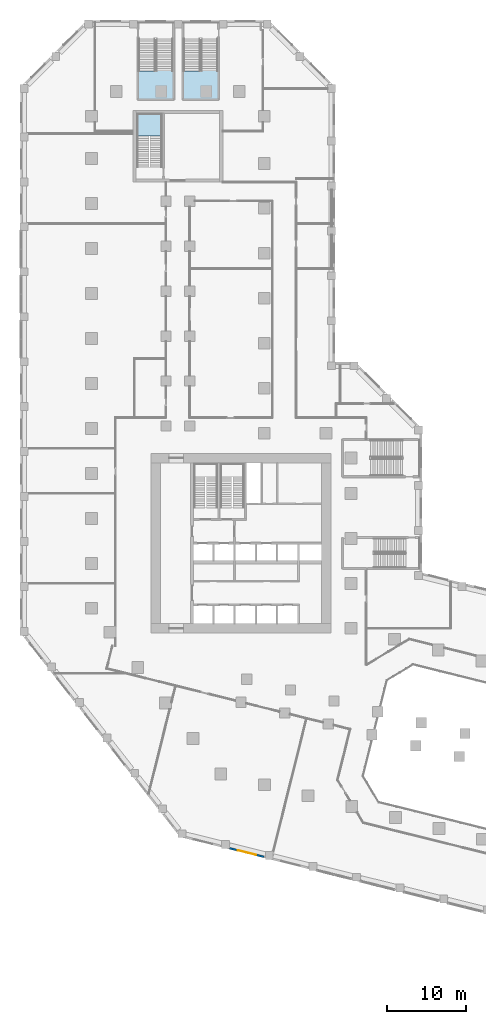
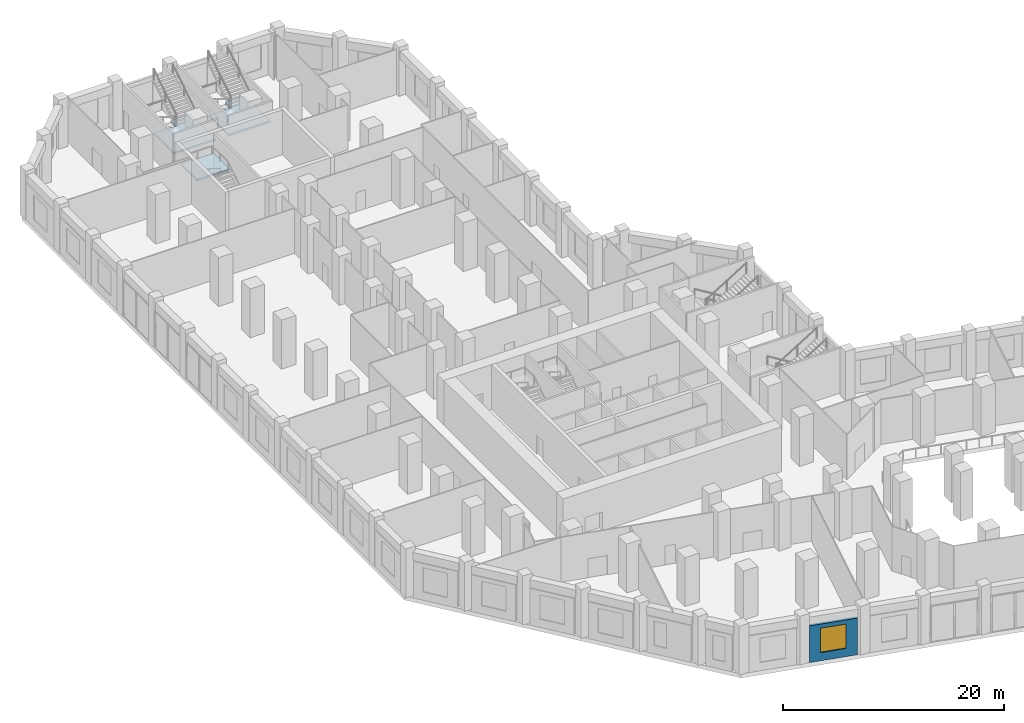
# One storey, part 8 of 23: 3 slabs, 1 wall, 1 window, 1 opening, 3 elements without a shape of their own.
"""IFC4 building model written with IfcOpenShell, lengths in metres."""

from ifc_helpers import new_model, si_unit, direction, frame, frame_2d, origin, place, context, subcontext, project, spatial, polyline, rectangle, outline, extrude, material, layer, layer_set, type_object, element, fill, aggregate, save


model = new_model("IFC4")

# Units and contexts
model_context = context("Model", 3, precision=1e-05, world=origin(), true_north=direction((0.0, 1.0)))
body_context = subcontext(model_context, "Body", "Model", "MODEL_VIEW")
ifc_project = project(units=[si_unit("LENGTHUNIT", "METRE"), si_unit("AREAUNIT", "SQUARE_METRE"), si_unit("VOLUMEUNIT", "CUBIC_METRE"), si_unit("PLANEANGLEUNIT", "RADIAN"), si_unit("MASSUNIT", "GRAM", prefix="KILO")], contexts=[model_context])

# Site, building, storey
site_placement = place(None, origin())
site = spatial("IfcSite", under=ifc_project, at=site_placement, CompositionType="ELEMENT")
building_placement = place(site_placement, origin())
building = spatial("IfcBuilding", under=site, at=building_placement, Name="Meshkara Civic Tower", CompositionType="ELEMENT")
storey_placement = place(building_placement, frame((0.0, 0.0, 7.199951171875)))
storey = spatial("IfcBuildingStorey", under=building, at=storey_placement, Name="L01", CompositionType="ELEMENT", Elevation=7.199951171875)

# Stair, slab
ifc_material_1 = material(Name="Precast concrete C40/50", Category="concrete")
stair_type_1 = type_object("IfcStairType", Name="Exit stair half-turn 30 risers 1500 precast", PredefinedType="HALF_TURN_STAIR", material=ifc_material_1)
stair_1_placement = place(storey_placement, origin())
stair_1 = element("IfcStair", 1, at=stair_1_placement, inside=storey, type_object=stair_type_1, Name="L01 exit stair A from B2", PredefinedType="HALF_TURN_STAIR")
ifc_material_2 = material(Name="Precast concrete C40/50", Category="concrete")
ifc_layer_1 = layer(ifc_material_2, 0.199951171875)
ifc_layer_set_1 = layer_set([ifc_layer_1], Name="Exit stair landing 200")
slab_type_1 = type_object("IfcSlabType", Name="Exit stair landing 200", PredefinedType="LANDING", material=ifc_layer_set_1)
slab_1_placement = place(storey_placement, frame((0.0, 0.0, 2.5)))
slab_1 = element("IfcSlab", 2, at=slab_1_placement, type_object=slab_type_1, Name="ESA1 landing 1", PredefinedType="LANDING", context=body_context, shape_type="SweptSolid", body=[
    extrude(outline(polyline([(9.5, 77.08837890625), (9.5, 79.969970703125), (6.10009765625, 79.969970703125), (6.10009765625, 77.08837890625), (9.5, 77.08837890625)])), origin(), (0.0, 0.0, 1.0), 0.199951171875),
])
aggregate(stair_1, [slab_1])

ifc_material_3 = material(Name="Precast concrete C40/50", Category="concrete")
stair_type_2 = type_object("IfcStairType", Name="Podium exit stair half-turn 30 risers 2100 wide precast", PredefinedType="HALF_TURN_STAIR", material=ifc_material_3)
stair_2_placement = place(storey_placement, origin())
stair_2 = element("IfcStair", 3, at=stair_2_placement, inside=storey, type_object=stair_type_2, Name="L01 podium exit stair PS1", PredefinedType="HALF_TURN_STAIR")
ifc_material_4 = material(Name="Precast concrete C40/50", Category="concrete")
ifc_layer_2 = layer(ifc_material_4, 0.199951171875)
ifc_layer_set_2 = layer_set([ifc_layer_2], Name="Podium stair landing 200")
slab_type_2 = type_object("IfcSlabType", Name="Podium stair landing 200", PredefinedType="LANDING", material=ifc_layer_set_2)
slab_2_placement = place(storey_placement, frame((0.0, 0.0, 2.5)))
slab_2 = element("IfcSlab", 4, at=slab_2_placement, type_object=slab_type_2, Name="PS1 landing 1", PredefinedType="LANDING", context=body_context, shape_type="SweptSolid", body=[
    extrude(outline(polyline([(10.784912109375, 81.81005859375), (6.43505859375, 81.81005859375), (6.43505859375, 85.3701171875), (8.68505859375, 85.3701171875), (8.68505859375, 86.360107421875), (10.784912109375, 86.360107421875), (10.784912109375, 81.81005859375)])), origin(), (0.0, 0.0, 1.0), 0.199951171875),
])
aggregate(stair_2, [slab_2])

stair_3_placement = place(storey_placement, origin())
stair_3 = element("IfcStair", 5, at=stair_3_placement, inside=storey, type_object=stair_type_2, Name="L01 podium exit stair PS2", PredefinedType="HALF_TURN_STAIR")
slab_3_placement = place(storey_placement, frame((0.0, 0.0, 2.5)))
slab_3 = element("IfcSlab", 6, at=slab_3_placement, type_object=slab_type_2, Name="PS2 landing 1", PredefinedType="LANDING", context=body_context, shape_type="SweptSolid", body=[
    extrude(outline(polyline([(16.485107421875, 81.81005859375), (12.135009765625, 81.81005859375), (12.135009765625, 85.3701171875), (14.385009765625, 85.3701171875), (14.385009765625, 86.360107421875), (16.485107421875, 86.360107421875), (16.485107421875, 81.81005859375)])), origin(), (0.0, 0.0, 1.0), 0.199951171875),
])
aggregate(stair_3, [slab_3])

# Wall, opening, window
ifc_material_5 = material(Name="Stone cladding on insulated backing wall", Category="masonry")
ifc_layer_3 = layer(ifc_material_5, 0.25)
ifc_layer_set_3 = layer_set([ifc_layer_3], Name="PODIUM STONE WALL 250")
wall_type = type_object("IfcWallType", Name="PODIUM STONE WALL 250", PredefinedType="SOLIDWALL", material=ifc_layer_set_3)
wall_placement = place(storey_placement, frame((17.967041015625, -13.1630859375, 0.0), z_axis=(0.0, 0.0, 1.0), x_axis=(0.970315118421, -0.24184410467, 0.0)))
wall = element("IfcWall", 7, at=wall_placement, inside=storey, type_object=wall_type, Name="Podium external wall", PredefinedType="SOLIDWALL", context=body_context, shape_type="SweptSolid", body=[
    extrude(rectangle(XDim=4.486083984375, YDim=0.25, at=frame_2d((2.2431640625, 0.0))), origin(), (0.0, 0.0, 1.0), 4.050048828125),
])
opening_placement = place(wall_placement, frame((1.0439453125, 0.0, 0.89990234375)))
opening = element("IfcOpeningElement", 8, at=opening_placement, cuts=wall, Name="Opening PW4", PredefinedType="OPENING", context=body_context, shape_type="SweptSolid", body=[
    extrude(rectangle(XDim=2.39990234375, YDim=2.699951171875, at=frame_2d((1.199951171875, 1.35009765625))), frame((0.0, 0.135009765625, 0.0), z_axis=(0.0, -1.0, 0.0), x_axis=(1.0, 0.0, 0.0)), (0.0, 0.0, 1.0), 0.27001953125),
])
ifc_material_6 = material(Name="Tinted double glazing", Category="glass")
window_type = type_object("IfcWindowType", Name="PODIUM WINDOW 2400x2700", PartitioningType="DOUBLE_PANEL_VERTICAL", PredefinedType="WINDOW", material=ifc_material_6)
window_placement = place(opening_placement, origin())
window = element("IfcWindow", 9, at=window_placement, inside=storey, type_object=window_type, Name="Podium window", OverallHeight=2.699951171875, OverallWidth=2.39990234375, PartitioningType="DOUBLE_PANEL_VERTICAL", PredefinedType="WINDOW", context=body_context, shape_type="SweptSolid", body=[
    extrude(rectangle(XDim=2.39990234375, YDim=2.699951171875, at=frame_2d((1.199951171875, 1.35009765625))), frame((0.0, 0.030029296875, 0.0), z_axis=(0.0, -1.0, 0.0), x_axis=(1.0, 0.0, 0.0)), (0.0, 0.0, 1.0), 0.06005859375),
])
fill(opening, window)

save(model, "model.ifc")
